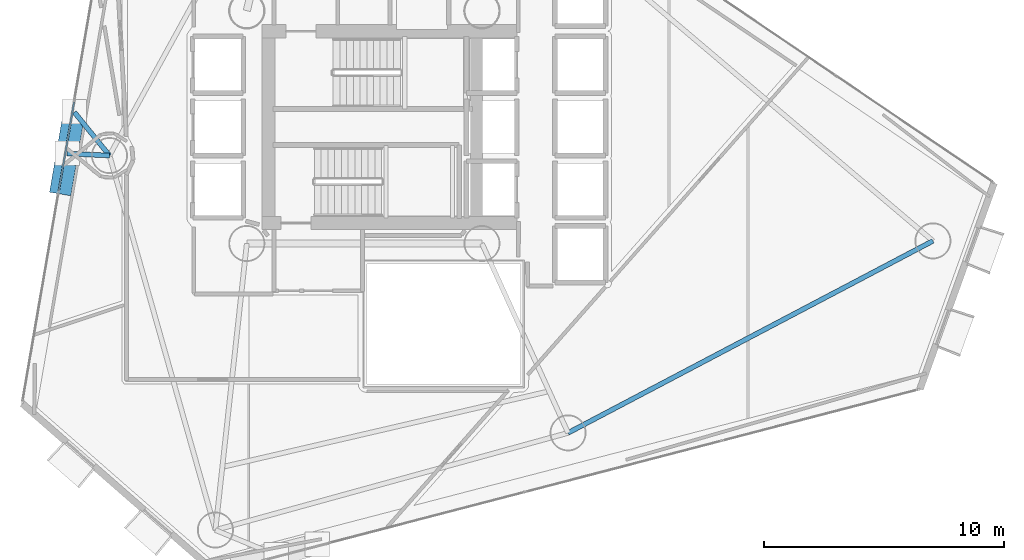
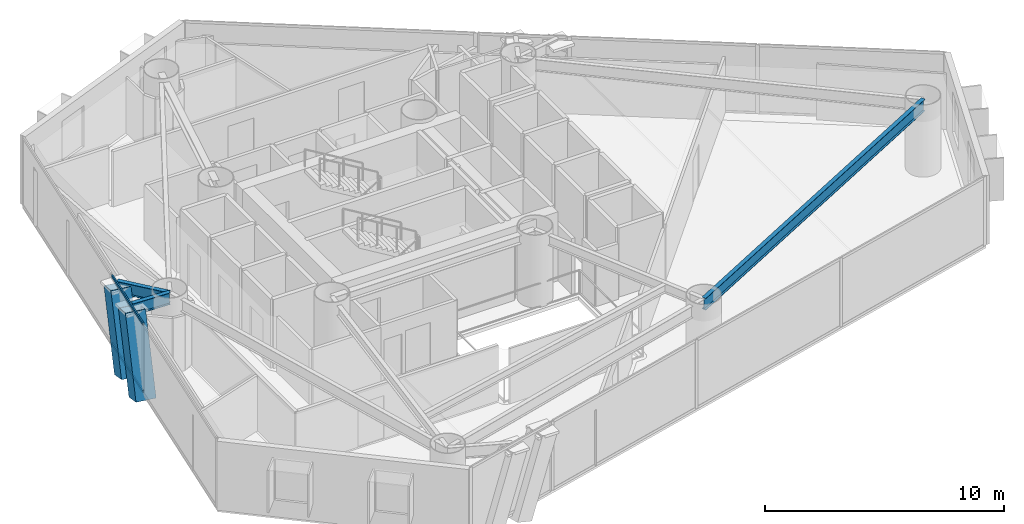
# One storey, part 7 of 21: 4 members, 3 beams, 1 element without a shape of its own.
"""IFC4 building model written with IfcOpenShell, lengths in metres."""

from ifc_helpers import new_model, si_unit, direction, frame, origin, origin_2d, place, context, subcontext, project, spatial, hollow_rectangle, i_section, extrude, material, layer, layer_set, material_profile, profile_set, type_object, element, aggregate, save


model = new_model("IFC4")

# Units and contexts
model_context = context("Model", 3, precision=1e-05, world=origin(), true_north=direction((0.0, 1.0)))
body_context = subcontext(model_context, "Body", "Model", "MODEL_VIEW")
ifc_project = project(units=[si_unit("LENGTHUNIT", "METRE"), si_unit("AREAUNIT", "SQUARE_METRE"), si_unit("VOLUMEUNIT", "CUBIC_METRE"), si_unit("PLANEANGLEUNIT", "RADIAN"), si_unit("MASSUNIT", "GRAM", prefix="KILO")], contexts=[model_context])

# Site, building, storey
site_placement = place(None, origin())
site = spatial("IfcSite", under=ifc_project, at=site_placement, CompositionType="ELEMENT")
building_placement = place(site_placement, origin())
building = spatial("IfcBuilding", under=site, at=building_placement, Name="Qianvela Tower", CompositionType="ELEMENT")
storey_placement = place(building_placement, frame((0.0, 0.0, 105.199951171875)))
storey = spatial("IfcBuildingStorey", under=building, at=storey_placement, Name="L26", CompositionType="ELEMENT", Elevation=105.199951171875)

# Beams
ifc_material_1 = material(Name="Steel Q355B", Category="steel")
ifc_material_profile_1 = material_profile(ifc_material_1, i_section(OverallWidth=0.199951171875, OverallDepth=0.60009765625, WebThickness=0.010986328125, FlangeThickness=0.01708984375, at=origin_2d()), Name="HN600x200x11x17")
ifc_profile_set_1 = profile_set([ifc_material_profile_1], Name="Steel Q355B")
beam_type = type_object("IfcBeamType", Name="BM-HN600-GIRD", PredefinedType="BEAM", material=ifc_profile_set_1)
beam_1_placement = place(storey_placement, frame((22.8779296875, 27.51611328125, 3.218017578125), z_axis=(-0.630407069869, 0.776264726919, 0.0), x_axis=(-0.776264726919, -0.630407069869, 0.0)))
element("IfcBeam", 1, at=beam_1_placement, inside=storey, type_object=beam_type, Name="L26 Mega-Brace Column Tie Bracket F2-1", PredefinedType="BEAM", context=body_context, shape_type="SweptSolid", body=[
    extrude(i_section(OverallWidth=0.199951171875, OverallDepth=0.60009765625, WebThickness=0.010986328125, FlangeThickness=0.01708984375, at=origin_2d()), origin(), (0.0, 0.0, 1.0), 2.328369140625),
])
beam_2_placement = place(storey_placement, frame((22.8779296875, 27.51611328125, 3.218017578125), z_axis=(-0.998965974291, 0.045464076019, 0.0), x_axis=(-0.045464076019, -0.998965974291, 0.0)))
element("IfcBeam", 2, at=beam_2_placement, inside=storey, type_object=beam_type, Name="L26 Mega-Brace Column Tie Bracket F2-2", PredefinedType="BEAM", context=body_context, shape_type="SweptSolid", body=[
    extrude(i_section(OverallWidth=0.199951171875, OverallDepth=0.60009765625, WebThickness=0.010986328125, FlangeThickness=0.01708984375, at=origin_2d()), origin(), (0.0, 0.0, 1.0), 1.7666015625),
])
beam_3_placement = place(storey_placement, frame((41.988037109375, 15.95703125, 3.218017578125), z_axis=(0.884971229381, 0.465645705627, 0.0), x_axis=(-0.465645705627, 0.884971229381, 0.0)))
element("IfcBeam", 3, at=beam_3_placement, inside=storey, type_object=beam_type, Name="L26 Perimeter Ring Spandrel Girder 6", PredefinedType="BEAM", context=body_context, shape_type="SweptSolid", body=[
    extrude(i_section(OverallWidth=0.199951171875, OverallDepth=0.60009765625, WebThickness=0.010986328125, FlangeThickness=0.01708984375, at=origin_2d()), origin(), (0.0, 0.0, 1.0), 17.1826171875),
])

# Curtain wall, members
ifc_material_2 = material(Name="Anodised Architectural Aluminium and Insulated Spandrel Panel", Category="aluminium")
ifc_layer = layer(ifc_material_2, 0.179931640625)
ifc_layer_set = layer_set([ifc_layer], Name="Anodised Architectural Aluminium and Insulated Spandrel Panel")
curtain_wall_type = type_object("IfcCurtainWallType", Name="CW-BRACEBAY", PredefinedType="USERDEFINED", material=ifc_layer_set)
curtain_wall_placement = place(storey_placement, origin())
curtain_wall = element("IfcCurtainWall", 4, at=curtain_wall_placement, inside=storey, type_object=curtain_wall_type, Name="L26 CW-BRACEBAY Curtain Wall 04B", ObjectType="CURTAIN_WALL_SYSTEM", PredefinedType="USERDEFINED")
ifc_material_3 = material(Name="Anodised Architectural Aluminium 6063-T6", Category="aluminium")
ifc_material_profile_2 = material_profile(ifc_material_3, hollow_rectangle(XDim=0.06494140625, YDim=0.1298828125, WallThickness=0.00439453125, at=origin_2d()), Name="ALU-TRAN-65x130")
ifc_profile_set_2 = profile_set([ifc_material_profile_2], Name="Anodised Architectural Aluminium 6063-T6")
member_type_1 = type_object("IfcMemberType", Name="CW-BRACEBAY-TRAN", PredefinedType="USERDEFINED", material=ifc_profile_set_2)
member_1_placement = place(storey_placement, frame((21.40185546875, 29.747314453125, 0.032470703125), z_axis=(-0.169527563871, -0.98552544619, 0.0), x_axis=(0.98552544619, -0.169527563871, 0.0)))
member_1 = element("IfcMember", 5, at=member_1_placement, type_object=member_type_1, Name="CW-9 transom 1.1", ObjectType="TRANSOM", PredefinedType="USERDEFINED", context=body_context, shape_type="SweptSolid", body=[
    extrude(hollow_rectangle(XDim=0.06494140625, YDim=0.1298828125, WallThickness=0.00439453125, at=origin_2d()), origin(), (0.0, 0.0, 1.0), 3.75),
])
member_2_placement = place(storey_placement, frame((21.40185546875, 29.747314453125, 3.487548828125), z_axis=(-0.169527563871, -0.98552544619, 0.0), x_axis=(0.98552544619, -0.169527563871, 0.0)))
member_2 = element("IfcMember", 6, at=member_2_placement, type_object=member_type_1, Name="CW-9 transom 1.2", ObjectType="TRANSOM", PredefinedType="USERDEFINED", context=body_context, shape_type="SweptSolid", body=[
    extrude(hollow_rectangle(XDim=0.06494140625, YDim=0.1298828125, WallThickness=0.00439453125, at=origin_2d()), origin(), (0.0, 0.0, 1.0), 3.75),
])
aggregate(curtain_wall, [member_1, member_2])

# Members
ifc_material_4 = material(Name="Steel Q420GJC", Category="steel")
ifc_material_profile_3 = material_profile(ifc_material_4, hollow_rectangle(XDim=0.89990234375, YDim=0.89990234375, WallThickness=0.035888671875, at=origin_2d()), Name="MBOX-900x900x36")
ifc_profile_set_3 = profile_set([ifc_material_profile_3], Name="Steel Q420GJC")
member_type_2 = type_object("IfcMemberType", Name="MBR-MBRACE-900", PredefinedType="BRACE", material=ifc_profile_set_3)
for number, where, z_axis, x_axis, name in (
    (7, (21.19287109375, 28.06005859375, -0.48193359375), (0.05549004261, 0.32265277585, 0.94488943343), (-0.985531498863, 0.169492373718, 0.0), "L26 Tier 4 Exterior Mega-Brace F2A"),
    (8, (20.895751953125, 26.3330078125, -0.48193359375), (0.05549004261, 0.32265277585, 0.94488943343), (-0.985531498863, 0.169492373718, 0.0), "L26 Tier 4 Exterior Mega-Brace F2B"),
):
    element("IfcMember", number, at=place(storey_placement, frame(where, z_axis=z_axis, x_axis=x_axis)), inside=storey, type_object=member_type_2, Name=name, PredefinedType="BRACE", context=body_context, shape_type="SweptSolid", body=[
        extrude(hollow_rectangle(XDim=0.89990234375, YDim=0.89990234375, WallThickness=0.035888671875, at=origin_2d()), origin(), (0.0, 0.0, 1.0), 3.915771484375),
    ])

save(model, "model.ifc")
